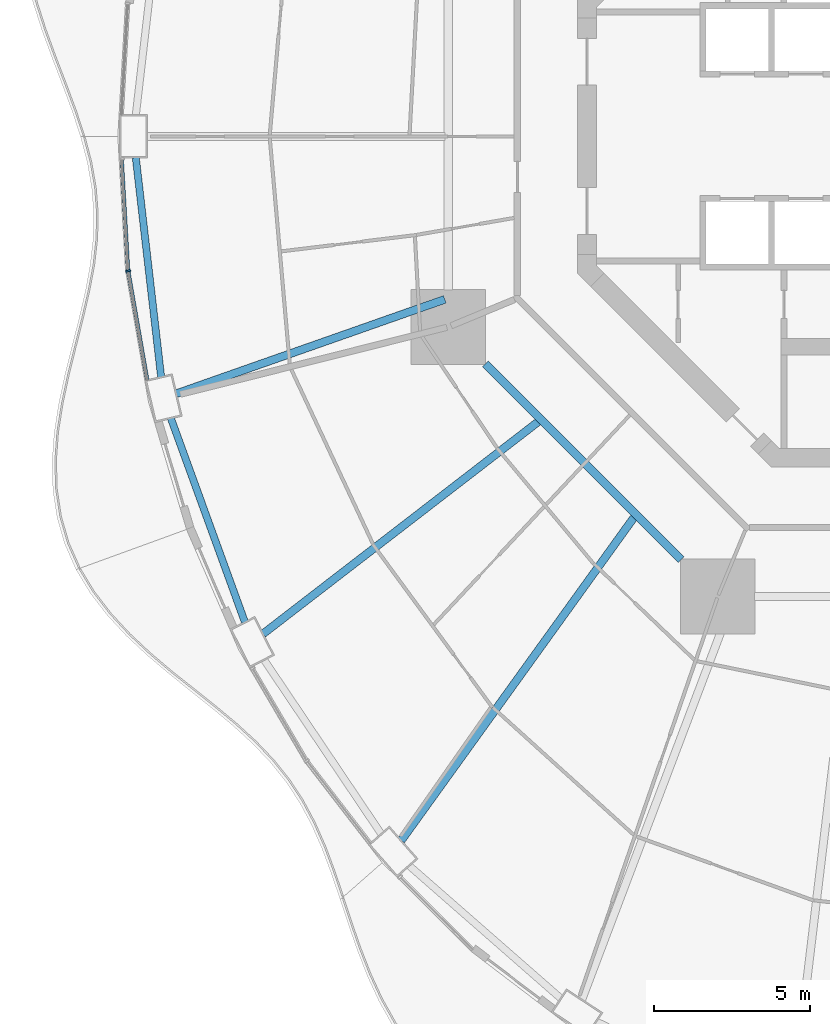
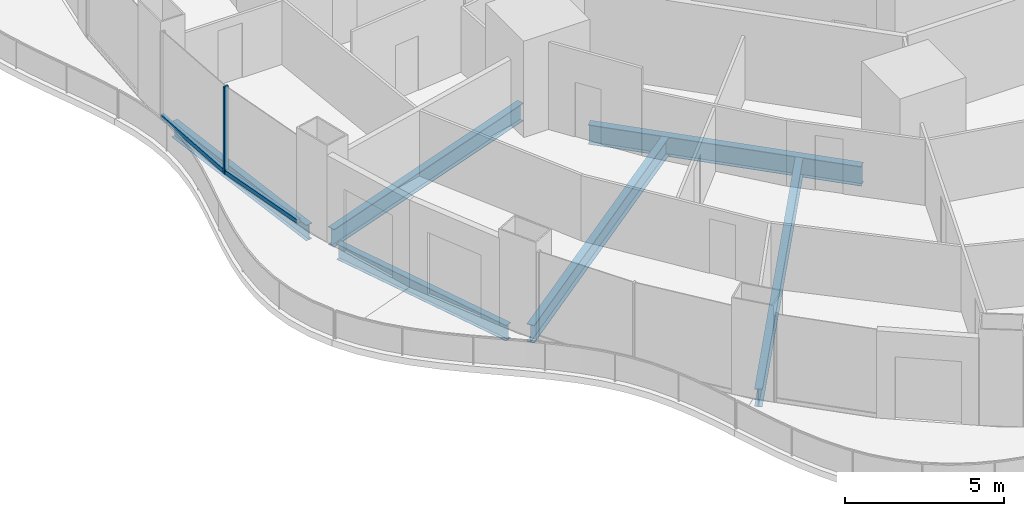
# One storey, part 3 of 22: 6 beams, 3 members, 2 elements without a shape of their own.
"""IFC4 building model written with IfcOpenShell, lengths in metres."""

from ifc_helpers import new_model, si_unit, direction, frame, origin, origin_2d, place, context, subcontext, project, spatial, rectangle, i_section, extrude, material, layer, layer_set, material_profile, profile_set, type_object, element, aggregate, save


model = new_model("IFC4")

# Units and contexts
model_context = context("Model", 3, precision=1e-05, world=origin(), true_north=direction((0.0, 1.0)))
body_context = subcontext(model_context, "Body", "Model", "MODEL_VIEW")
ifc_project = project(units=[si_unit("LENGTHUNIT", "METRE"), si_unit("AREAUNIT", "SQUARE_METRE"), si_unit("VOLUMEUNIT", "CUBIC_METRE"), si_unit("PLANEANGLEUNIT", "RADIAN"), si_unit("MASSUNIT", "GRAM", prefix="KILO")], contexts=[model_context])

# Site, building, storey
site_placement = place(None, origin())
site = spatial("IfcSite", under=ifc_project, at=site_placement, CompositionType="ELEMENT")
building_placement = place(site_placement, origin())
building = spatial("IfcBuilding", under=site, at=building_placement, Name="Nagisa Residences", CompositionType="ELEMENT")
storey_placement = place(building_placement, frame((0.0, 0.0, 64.0)))
storey = spatial("IfcBuildingStorey", under=building, at=storey_placement, Name="L15", CompositionType="ELEMENT", Elevation=64.0)

# Curtain wall, member
ifc_material_1 = material(Name="Concrete-coloured aluminium curtain wall system", Category="concrete")
ifc_layer = layer(ifc_material_1, 0.159912109375)
ifc_layer_set = layer_set([ifc_layer], Name="CW1 CURTAIN WALL")
curtain_wall_type = type_object("IfcCurtainWallType", Name="CW1 CURTAIN WALL", PredefinedType="NOTDEFINED", material=ifc_layer_set)
curtain_wall_1_placement = place(storey_placement, origin())
curtain_wall_1 = element("IfcCurtainWall", 1, at=curtain_wall_1_placement, inside=storey, type_object=curtain_wall_type, Name="cw:CW1:L15:25", PredefinedType="NOTDEFINED")
ifc_material_2 = material(Name="Concrete-coloured aluminium", Category="concrete")
ifc_material_profile_1 = material_profile(ifc_material_2, rectangle(XDim=0.159912109375, YDim=0.06005859375, at=origin_2d()), Name="CW1 MULLION 160x60")
ifc_profile_set_1 = profile_set([ifc_material_profile_1], Name="Concrete-coloured aluminium")
member_type_1 = type_object("IfcMemberType", Name="CW1 MULLION 160x60", PredefinedType="MULLION", material=ifc_profile_set_1)
member_1_placement = place(storey_placement, frame((-25.06787109375, -4.3232421875, 0.0), z_axis=(0.0, 0.0, 1.0), x_axis=(0.985063604377, 0.172190868898, 0.0)))
member_1 = element("IfcMember", 2, at=member_1_placement, type_object=member_type_1, Name="CW1 mullion", PredefinedType="MULLION", context=body_context, shape_type="SweptSolid", body=[
    extrude(rectangle(XDim=0.159912109375, YDim=0.06005859375, at=origin_2d()), origin(), (0.0, 0.0, 1.0), 3.35009765625),
])

curtain_wall_2_placement = place(storey_placement, origin())
curtain_wall_2 = element("IfcCurtainWall", 3, at=curtain_wall_2_placement, inside=storey, type_object=curtain_wall_type, Name="cw:CW1:L15:24", PredefinedType="NOTDEFINED")
ifc_material_3 = material(Name="Concrete-coloured aluminium", Category="concrete")
ifc_material_profile_2 = material_profile(ifc_material_3, rectangle(XDim=0.1201171875, YDim=0.14990234375, at=origin_2d()), Name="CW1 TRANSOM 120x150")
ifc_profile_set_2 = profile_set([ifc_material_profile_2], Name="Concrete-coloured aluminium")
member_type_2 = type_object("IfcMemberType", Name="CW1 TRANSOM 120x150", PredefinedType="USERDEFINED", material=ifc_profile_set_2)
member_2_placement = place(storey_placement, frame((-25.27978515625, -0.6943359375, 0.074951171875), z_axis=(0.057482603412, -0.998346508135, 0.0), x_axis=(0.998346508135, 0.057482603412, 0.0)))
member_2 = element("IfcMember", 4, at=member_2_placement, type_object=member_type_2, Name="CW1 transom", ObjectType="TRANSOM", PredefinedType="USERDEFINED", context=body_context, shape_type="SweptSolid", body=[
    extrude(rectangle(XDim=0.1201171875, YDim=0.14990234375, at=origin_2d()), origin(), (0.0, 0.0, 1.0), 3.6142578125),
])
aggregate(curtain_wall_2, [member_2])

# Member
member_3_placement = place(storey_placement, frame((-25.072998046875, -4.293701171875, 0.074951171875), z_axis=(0.172163041068, -0.985068468326, 0.0), x_axis=(0.985068468326, 0.172163041068, 0.0)))
member_3 = element("IfcMember", 5, at=member_3_placement, type_object=member_type_2, Name="CW1 transom", ObjectType="TRANSOM", PredefinedType="USERDEFINED", context=body_context, shape_type="SweptSolid", body=[
    extrude(rectangle(XDim=0.1201171875, YDim=0.14990234375, at=origin_2d()), origin(), (0.0, 0.0, 1.0), 3.59765625),
])

aggregate(curtain_wall_1, [member_1, member_3])

# Beams
ifc_material_4 = material(Name="Steel ASTM A572 Gr 50", Category="steel")
ifc_material_profile_3 = material_profile(ifc_material_4, i_section(OverallWidth=0.264892578125, OverallDepth=0.7529296875, WebThickness=0.01318359375, FlangeThickness=0.01708984375, at=origin_2d()), Name="W760x147")
ifc_profile_set_3 = profile_set([ifc_material_profile_3], Name="Steel ASTM A572 Gr 50")
beam_type_1 = type_object("IfcBeamType", Name="Inner ring beam W760x147", PredefinedType="BEAM", material=ifc_profile_set_3)
beam_1_placement = place(storey_placement, frame((-13.59619140625, -7.308837890625, -0.636474609375), z_axis=(0.707106781187, -0.707106781187, 0.0), x_axis=(0.707106781187, 0.707106781187, 0.0)))
element("IfcBeam", 6, at=beam_1_placement, inside=storey, type_object=beam_type_1, Name="beam:L15:ib5", PredefinedType="BEAM", context=body_context, shape_type="SweptSolid", body=[
    extrude(i_section(OverallWidth=0.264892578125, OverallDepth=0.7529296875, WebThickness=0.01318359375, FlangeThickness=0.01708984375, at=origin_2d()), origin(), (0.0, 0.0, 1.0), 8.8916015625),
])
ifc_material_5 = material(Name="Steel ASTM A572 Gr 50", Category="steel")
ifc_material_profile_4 = material_profile(ifc_material_5, i_section(OverallWidth=0.22802734375, OverallDepth=0.60302734375, WebThickness=0.010498046875, FlangeThickness=0.014892578125, at=origin_2d()), Name="W610x101")
ifc_profile_set_4 = profile_set([ifc_material_profile_4], Name="Steel ASTM A572 Gr 50")
beam_type_2 = type_object("IfcBeamType", Name="Perimeter ring beam W610x101", PredefinedType="BEAM", material=ifc_profile_set_4)
beam_2_placement = place(storey_placement, frame((-24.821533203125, -0.68017578125, -0.5615234375), z_axis=(0.114707660057, -0.993399291687, 0.0), x_axis=(0.993399291687, 0.114707660057, 0.0)))
element("IfcBeam", 7, at=beam_2_placement, inside=storey, type_object=beam_type_2, Name="beam:L15:pb13", PredefinedType="BEAM", context=body_context, shape_type="SweptSolid", body=[
    extrude(i_section(OverallWidth=0.22802734375, OverallDepth=0.60302734375, WebThickness=0.010498046875, FlangeThickness=0.014892578125, at=origin_2d()), origin(), (0.0, 0.0, 1.0), 7.09814453125),
])
beam_3_placement = place(storey_placement, frame((-23.695068359375, -9.055419921875, -0.5615234375), z_axis=(0.341411143183, -0.939914055279, 0.0), x_axis=(0.939914055279, 0.341411143183, 0.0)))
element("IfcBeam", 8, at=beam_3_placement, inside=storey, type_object=beam_type_2, Name="beam:L15:pb14", PredefinedType="BEAM", context=body_context, shape_type="SweptSolid", body=[
    extrude(i_section(OverallWidth=0.22802734375, OverallDepth=0.60302734375, WebThickness=0.010498046875, FlangeThickness=0.014892578125, at=origin_2d()), origin(), (0.0, 0.0, 1.0), 6.96923828125),
])
ifc_material_6 = material(Name="Steel ASTM A572 Gr 50", Category="steel")
ifc_material_profile_5 = material_profile(ifc_material_6, i_section(OverallWidth=0.25390625, OverallDepth=0.68408203125, WebThickness=0.012451171875, FlangeThickness=0.018798828125, at=origin_2d()), Name="W690x140")
ifc_profile_set_5 = profile_set([ifc_material_profile_5], Name="Steel ASTM A572 Gr 50")
beam_type_3 = type_object("IfcBeamType", Name="Radial beam W690x140", PredefinedType="BEAM", material=ifc_profile_set_5)
beam_4_placement = place(storey_placement, frame((-23.520751953125, -8.26806640625, -0.60205078125), z_axis=(0.943414535235, 0.331615763659, 0.0), x_axis=(-0.331615763659, 0.943414535235, 0.0)))
element("IfcBeam", 9, at=beam_4_placement, inside=storey, type_object=beam_type_3, Name="beam:L15:rb14", PredefinedType="BEAM", context=body_context, shape_type="SweptSolid", body=[
    extrude(i_section(OverallWidth=0.25390625, OverallDepth=0.68408203125, WebThickness=0.012451171875, FlangeThickness=0.018798828125, at=origin_2d()), origin(), (0.0, 0.0, 1.0), 9.142333984375),
])
beam_5_placement = place(storey_placement, frame((-20.73486328125, -15.982666015625, -0.60205078125), z_axis=(0.792016146736, 0.610500141941, 0.0), x_axis=(-0.610500141941, 0.792016146736, 0.0)))
element("IfcBeam", 10, at=beam_5_placement, inside=storey, type_object=beam_type_3, Name="beam:L15:rb15", PredefinedType="BEAM", context=body_context, shape_type="SweptSolid", body=[
    extrude(i_section(OverallWidth=0.25390625, OverallDepth=0.68408203125, WebThickness=0.012451171875, FlangeThickness=0.018798828125, at=origin_2d()), origin(), (0.0, 0.0, 1.0), 11.160888671875),
])
beam_6_placement = place(storey_placement, frame((-16.29443359375, -22.62255859375, -0.60205078125), z_axis=(0.58445507622, 0.811426068031, 0.0), x_axis=(-0.811426068031, 0.58445507622, 0.0)))
element("IfcBeam", 11, at=beam_6_placement, inside=storey, type_object=beam_type_3, Name="beam:L15:rb16", PredefinedType="BEAM", context=body_context, shape_type="SweptSolid", body=[
    extrude(i_section(OverallWidth=0.25390625, OverallDepth=0.68408203125, WebThickness=0.012451171875, FlangeThickness=0.018798828125, at=origin_2d()), origin(), (0.0, 0.0, 1.0), 12.78955078125),
])

save(model, "model.ifc")
